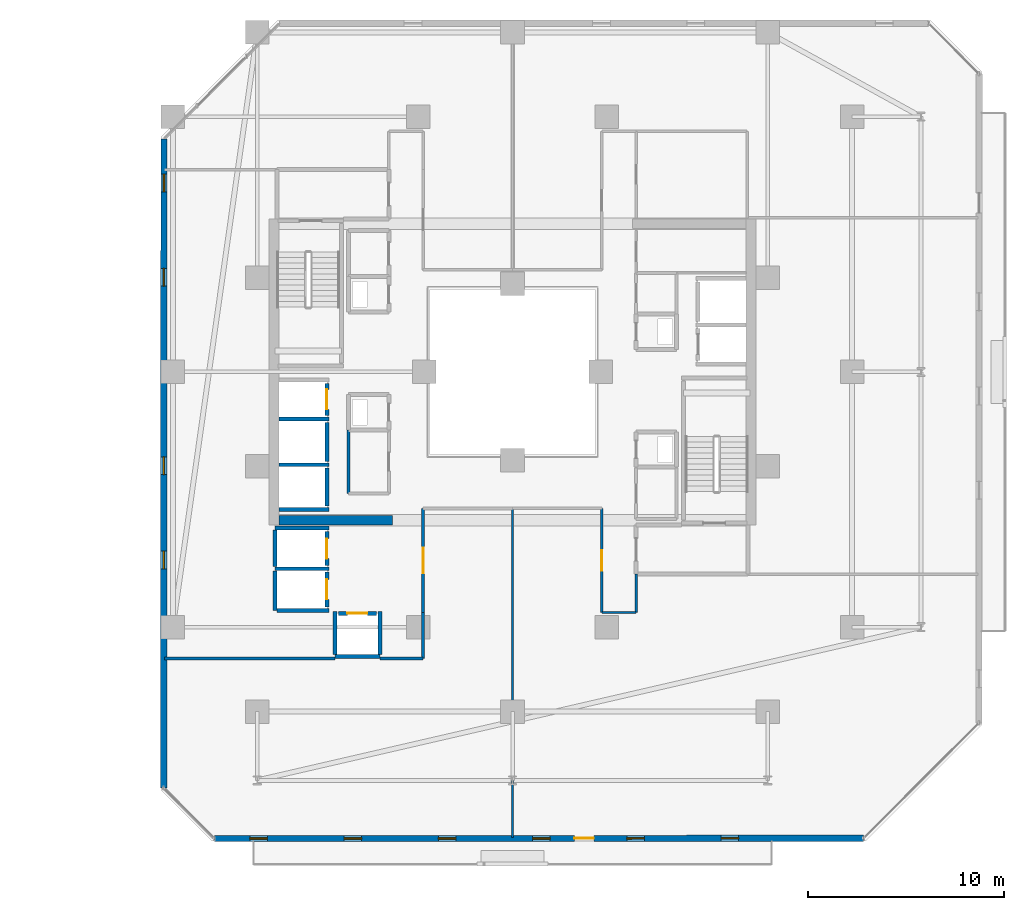
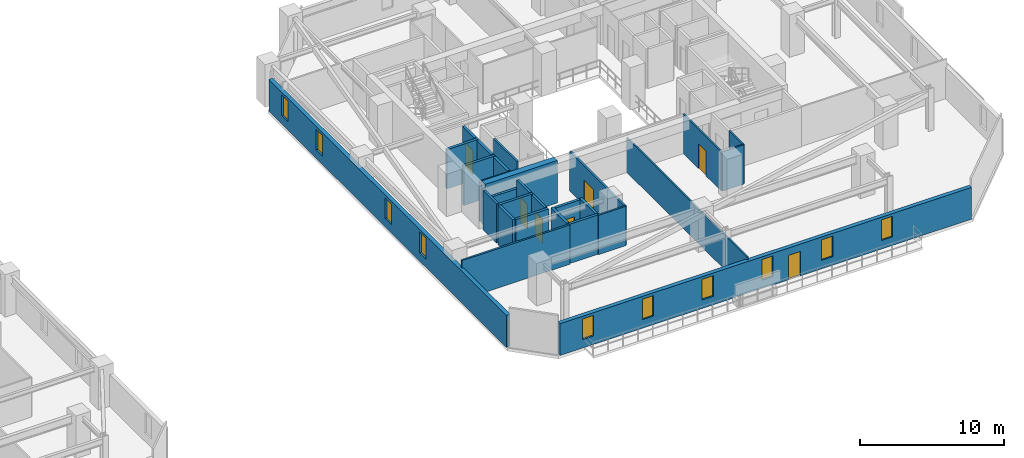
# One storey, part 22 of 32: 29 walls, 10 windows, 7 doors, 17 openings.
"""IFC4 building model written with IfcOpenShell, lengths in metres."""

from ifc_helpers import new_model, si_unit, direction, frame, frame_2d, origin, place, context, subcontext, project, spatial, rectangle, extrude, material, layer, layer_set, type_object, element, fill, save


model = new_model("IFC4")

# Units and contexts
model_context = context("Model", 3, precision=1e-05, world=origin(), true_north=direction((0.0, 1.0)))
body_context = subcontext(model_context, "Body", "Model", "MODEL_VIEW")
ifc_project = project(units=[si_unit("LENGTHUNIT", "METRE"), si_unit("AREAUNIT", "SQUARE_METRE"), si_unit("VOLUMEUNIT", "CUBIC_METRE"), si_unit("PLANEANGLEUNIT", "RADIAN"), si_unit("MASSUNIT", "GRAM", prefix="KILO")], contexts=[model_context])

# Site, building, storey
site_placement = place(None, origin())
site = spatial("IfcSite", under=ifc_project, at=site_placement, CompositionType="ELEMENT")
building_placement = place(site_placement, origin())
building = spatial("IfcBuilding", under=site, at=building_placement, Name="Thornwick Lancets Civic Towers", CompositionType="ELEMENT")
storey_placement = place(building_placement, frame((0.0, 0.0, 123.300048828125)))
storey = spatial("IfcBuildingStorey", under=building, at=storey_placement, Name="L32", CompositionType="ELEMENT", Elevation=123.300048828125)

# Wall, opening, door
ifc_material_1 = material(Name="Concrete blockwork C40/50", Category="masonry")
ifc_layer_1 = layer(ifc_material_1, 0.199951171875, Name="Concrete blockwork C40/50")
ifc_layer_set_1 = layer_set([ifc_layer_1], Name="Concrete blockwork C40/50")
wall_type_1 = type_object("IfcWallType", Name="WALL_COMP_200", PredefinedType="STANDARD", material=ifc_layer_set_1)
wall_1_placement = place(storey_placement, frame((79.050048828125, 24.780029296875, 0.0), z_axis=(0.0, 0.0, 1.0), x_axis=(0.0, 1.0, 0.0)))
wall_1 = element("IfcWall", 1, at=wall_1_placement, inside=storey, type_object=wall_type_1, Name="L32 Hoistway Front Wall FL-B2", PredefinedType="STANDARD", context=body_context, shape_type="SweptSolid", body=[
    extrude(rectangle(XDim=1.639892578125, YDim=0.199951171875, at=frame_2d((0.81982421875, 0.0))), origin(), (0.0, 0.0, 1.0), 3.33984375),
])
opening_1_placement = place(wall_1_placement, frame((0.31005859375, 0.0, 0.0)))
opening_1 = element("IfcOpeningElement", 2, at=opening_1_placement, cuts=wall_1, Name="Opening LD-FL-B2", PredefinedType="OPENING", context=body_context, shape_type="SweptSolid", body=[
    extrude(rectangle(XDim=1.02001953125, YDim=2.06005859375, at=frame_2d((0.510009765625, 1.030029296875))), frame((0.0, 0.10986328125, 0.0), z_axis=(0.0, -1.0, 0.0), x_axis=(1.0, 0.0, 0.0)), (0.0, 0.0, 1.0), 0.219970703125),
])
ifc_material_2 = material(Name="Brushed bronze stainless steel", Category="steel")
door_type_1 = type_object("IfcDoorType", Name="DOOR_LIFT_SLIDE", OperationType="SLIDING_TO_LEFT", PredefinedType="DOOR", material=ifc_material_2)
door_1_placement = place(opening_1_placement, origin())
door_1 = element("IfcDoor", 3, at=door_1_placement, inside=storey, type_object=door_type_1, Name="L32 Sliding Lift Landing Door LD-FL-B2", OperationType="SLIDING_TO_LEFT", OverallHeight=2.06005859375, OverallWidth=1.02001953125, PredefinedType="DOOR", context=body_context, shape_type="SweptSolid", body=[
    extrude(rectangle(XDim=1.02001953125, YDim=2.06005859375, at=frame_2d((0.510009765625, 1.030029296875))), frame((0.0, 0.02490234375, 0.0), z_axis=(0.0, -1.0, 0.0), x_axis=(1.0, 0.0, 0.0)), (0.0, 0.0, 1.0), 0.050048828125),
])
fill(opening_1, door_1)

# Walls
wall_2_placement = place(storey_placement, frame((79.050048828125, 22.429931640625, 0.0), z_axis=(0.0, 0.0, 1.0), x_axis=(0.0, 1.0, 0.0)))
element("IfcWall", 4, at=wall_2_placement, inside=storey, type_object=wall_type_1, Name="L32 Hoistway Front Wall PL-BH2", PredefinedType="STANDARD", context=body_context, shape_type="SweptSolid", body=[
    extrude(rectangle(XDim=1.989990234375, YDim=0.199951171875, at=frame_2d((0.9951171875, 0.0))), origin(), (0.0, 0.0, 1.0), 3.33984375),
])
wall_3_placement = place(storey_placement, frame((79.050048828125, 20.179931640625, 0.0), z_axis=(0.0, 0.0, 1.0), x_axis=(0.0, 1.0, 0.0)))
element("IfcWall", 5, at=wall_3_placement, inside=storey, type_object=wall_type_1, Name="L32 Hoistway Front Wall PL-BH3", PredefinedType="STANDARD", context=body_context, shape_type="SweptSolid", body=[
    extrude(rectangle(XDim=1.940185546875, YDim=0.199951171875, at=frame_2d((0.97021484375, 0.0))), origin(), (0.0, 0.0, 1.0), 3.33984375),
])

# Wall, opening, door
wall_4_placement = place(storey_placement, frame((79.050048828125, 17.1298828125, 0.0), z_axis=(0.0, 0.0, 1.0), x_axis=(0.0, 1.0, 0.0)))
wall_4 = element("IfcWall", 6, at=wall_4_placement, inside=storey, type_object=wall_type_1, Name="L32 Hoistway Front Wall PL-BM1", PredefinedType="STANDARD", context=body_context, shape_type="SweptSolid", body=[
    extrude(rectangle(XDim=1.740234375, YDim=0.199951171875, at=frame_2d((0.8701171875, 0.0))), origin(), (0.0, 0.0, 1.0), 3.33984375),
])
opening_2_placement = place(wall_4_placement, frame((0.360107421875, 0.0, 0.0)))
opening_2 = element("IfcOpeningElement", 7, at=opening_2_placement, cuts=wall_4, Name="Opening LD-PL-BM1", PredefinedType="OPENING", context=body_context, shape_type="SweptSolid", body=[
    extrude(rectangle(XDim=1.02001953125, YDim=2.06005859375, at=frame_2d((0.510009765625, 1.030029296875))), frame((0.0, 0.10986328125, 0.0), z_axis=(0.0, -1.0, 0.0), x_axis=(1.0, 0.0, 0.0)), (0.0, 0.0, 1.0), 0.219970703125),
])
door_2_placement = place(opening_2_placement, origin())
door_2 = element("IfcDoor", 8, at=door_2_placement, inside=storey, type_object=door_type_1, Name="L32 Sliding Lift Landing Door LD-PL-BM1", OperationType="SLIDING_TO_LEFT", OverallHeight=2.06005859375, OverallWidth=1.02001953125, PredefinedType="DOOR", context=body_context, shape_type="SweptSolid", body=[
    extrude(rectangle(XDim=1.02001953125, YDim=2.06005859375, at=frame_2d((0.510009765625, 1.030029296875))), frame((0.0, 0.02490234375, 0.0), z_axis=(0.0, -1.0, 0.0), x_axis=(1.0, 0.0, 0.0)), (0.0, 0.0, 1.0), 0.050048828125),
])
fill(opening_2, door_2)

wall_5_placement = place(storey_placement, frame((79.050048828125, 15.030029296875, 0.0), z_axis=(0.0, 0.0, 1.0), x_axis=(0.0, 1.0, 0.0)))
wall_5 = element("IfcWall", 9, at=wall_5_placement, inside=storey, type_object=wall_type_1, Name="L32 Hoistway Front Wall PL-BM2", PredefinedType="STANDARD", context=body_context, shape_type="SweptSolid", body=[
    extrude(rectangle(XDim=1.7900390625, YDim=0.199951171875, at=frame_2d((0.89501953125, 0.0))), origin(), (0.0, 0.0, 1.0), 3.33984375),
])
opening_3_placement = place(wall_5_placement, frame((0.385009765625, 0.0, 0.0)))
opening_3 = element("IfcOpeningElement", 10, at=opening_3_placement, cuts=wall_5, Name="Opening LD-PL-BM2", PredefinedType="OPENING", context=body_context, shape_type="SweptSolid", body=[
    extrude(rectangle(XDim=1.02001953125, YDim=2.06005859375, at=frame_2d((0.510009765625, 1.030029296875))), frame((0.0, 0.10986328125, 0.0), z_axis=(0.0, -1.0, 0.0), x_axis=(1.0, 0.0, 0.0)), (0.0, 0.0, 1.0), 0.219970703125),
])
door_3_placement = place(opening_3_placement, origin())
door_3 = element("IfcDoor", 11, at=door_3_placement, inside=storey, type_object=door_type_1, Name="L32 Sliding Lift Landing Door LD-PL-BM2", OperationType="SLIDING_TO_LEFT", OverallHeight=2.06005859375, OverallWidth=1.02001953125, PredefinedType="DOOR", context=body_context, shape_type="SweptSolid", body=[
    extrude(rectangle(XDim=1.02001953125, YDim=2.06005859375, at=frame_2d((0.510009765625, 1.030029296875))), frame((0.0, 0.02490234375, 0.0), z_axis=(0.0, -1.0, 0.0), x_axis=(1.0, 0.0, 0.0)), (0.0, 0.0, 1.0), 0.050048828125),
])
fill(opening_3, door_3)

wall_6_placement = place(storey_placement, frame((79.6298828125, 14.699951171875, 0.0), z_axis=(0.0, 0.0, 1.0), x_axis=(1.0, 0.0, 0.0)))
wall_6 = element("IfcWall", 12, at=wall_6_placement, inside=storey, type_object=wall_type_1, Name="L32 Hoistway Front Wall PL-BM3", PredefinedType="STANDARD", context=body_context, shape_type="SweptSolid", body=[
    extrude(rectangle(XDim=1.940185546875, YDim=0.199951171875, at=frame_2d((0.97021484375, 0.0))), origin(), (0.0, 0.0, 1.0), 3.33984375),
])
opening_4_placement = place(wall_6_placement, frame((0.4599609375, 0.0, 0.0)))
opening_4 = element("IfcOpeningElement", 13, at=opening_4_placement, cuts=wall_6, Name="Opening LD-PL-BM3", PredefinedType="OPENING", context=body_context, shape_type="SweptSolid", body=[
    extrude(rectangle(XDim=1.02001953125, YDim=2.06005859375, at=frame_2d((0.510009765625, 1.030029296875))), frame((0.0, 0.10986328125, 0.0), z_axis=(0.0, -1.0, 0.0), x_axis=(1.0, 0.0, 0.0)), (0.0, 0.0, 1.0), 0.219970703125),
])
door_4_placement = place(opening_4_placement, origin())
door_4 = element("IfcDoor", 14, at=door_4_placement, inside=storey, type_object=door_type_1, Name="L32 Sliding Lift Landing Door LD-PL-BM3", OperationType="SLIDING_TO_LEFT", OverallHeight=2.06005859375, OverallWidth=1.02001953125, PredefinedType="DOOR", context=body_context, shape_type="SweptSolid", body=[
    extrude(rectangle(XDim=1.02001953125, YDim=2.06005859375, at=frame_2d((0.510009765625, 1.030029296875))), frame((0.0, 0.02490234375, 0.0), z_axis=(0.0, -1.0, 0.0), x_axis=(1.0, 0.0, 0.0)), (0.0, 0.0, 1.0), 0.050048828125),
])
fill(opening_4, door_4)

# Walls
for number, where, z_axis, x_axis, name in (
    (15, (76.612060546875, 24.60009765625, 0.0), (0.0, 0.0, 1.0), (1.0, 0.0, 0.0), "L32 Hoistway Shaft Wall FL-B2 S"),
    (16, (76.612060546875, 22.27490234375, 0.0), (0.0, 0.0, 1.0), (1.0, 0.0, 0.0), "L32 Hoistway Shaft Wall PL-BH2 S"),
    (17, (76.612060546875, 20.0, 0.0), (0.0, 0.0, 1.0), (1.0, 0.0, 0.0), "L32 Hoistway Shaft Wall PL-BH3 S"),
):
    element("IfcWall", number, at=place(storey_placement, frame(where, z_axis=z_axis, x_axis=x_axis)), inside=storey, type_object=wall_type_1, Name=name, PredefinedType="STANDARD", context=body_context, shape_type="SweptSolid", body=[
        extrude(rectangle(XDim=2.535888671875, YDim=0.199951171875, at=frame_2d((1.26806640625, 0.0))), origin(), (0.0, 0.0, 1.0), 3.33984375),
    ])
wall_7_placement = place(storey_placement, frame((76.402099609375, 19.050048828125, 0.0), z_axis=(0.0, 0.0, 1.0), x_axis=(1.0, 0.0, 0.0)))
element("IfcWall", 18, at=wall_7_placement, inside=storey, type_object=wall_type_1, Name="L32 Hoistway Shaft Wall PL-BM1 N", PredefinedType="STANDARD", context=body_context, shape_type="SweptSolid", body=[
    extrude(rectangle(XDim=2.745849609375, YDim=0.199951171875, at=frame_2d((1.373046875, 0.0))), origin(), (0.0, 0.0, 1.0), 2.544921875),
])
wall_8_placement = place(storey_placement, frame((76.402099609375, 16.97509765625, 0.0), z_axis=(0.0, 0.0, 1.0), x_axis=(1.0, 0.0, 0.0)))
element("IfcWall", 19, at=wall_8_placement, inside=storey, type_object=wall_type_1, Name="L32 Hoistway Shaft Wall PL-BM1 S", PredefinedType="STANDARD", context=body_context, shape_type="SweptSolid", body=[
    extrude(rectangle(XDim=2.745849609375, YDim=0.199951171875, at=frame_2d((1.373046875, 0.0))), origin(), (0.0, 0.0, 1.0), 3.33984375),
])
wall_9_placement = place(storey_placement, frame((76.39990234375, 14.85205078125, 0.0), z_axis=(0.0, 0.0, 1.0), x_axis=(0.0, 1.0, 0.0)))
element("IfcWall", 20, at=wall_9_placement, inside=storey, type_object=wall_type_1, Name="L32 Hoistway Shaft Wall PL-BM1 W", PredefinedType="STANDARD", context=body_context, shape_type="SweptSolid", body=[
    extrude(rectangle(XDim=2.015869140625, YDim=0.199951171875, at=frame_2d((1.0078125, 0.0))), origin(), (0.0, 0.0, 1.0), 3.33984375),
])
wall_10_placement = place(storey_placement, frame((76.39990234375, 17.08203125, 0.0), z_axis=(0.0, 0.0, 1.0), x_axis=(0.0, 1.0, 0.0)))
element("IfcWall", 21, at=wall_10_placement, inside=storey, type_object=wall_type_1, Name="L32 Hoistway Shaft Wall PL-BM1 W", PredefinedType="STANDARD", context=body_context, shape_type="SweptSolid", body=[
    extrude(rectangle(XDim=1.85595703125, YDim=0.199951171875, at=frame_2d((0.927978515625, 0.0))), origin(), (0.0, 0.0, 1.0), 3.33984375),
])
wall_11_placement = place(storey_placement, frame((76.511962890625, 14.85009765625, 0.0), z_axis=(0.0, 0.0, 1.0), x_axis=(1.0, 0.0, 0.0)))
element("IfcWall", 22, at=wall_11_placement, inside=storey, type_object=wall_type_1, Name="L32 Hoistway Shaft Wall PL-BM2 S", PredefinedType="STANDARD", context=body_context, shape_type="SweptSolid", body=[
    extrude(rectangle(XDim=2.635986328125, YDim=0.199951171875, at=frame_2d((1.31787109375, 0.0))), origin(), (0.0, 0.0, 1.0), 3.33984375),
])
wall_12_placement = place(storey_placement, frame((79.451904296875, 12.5, 0.0), z_axis=(0.0, 0.0, 1.0), x_axis=(1.0, 0.0, 0.0)))
element("IfcWall", 23, at=wall_12_placement, inside=storey, type_object=wall_type_1, Name="L32 Hoistway Shaft Wall PL-BM3 S", PredefinedType="STANDARD", context=body_context, shape_type="SweptSolid", body=[
    extrude(rectangle(XDim=2.296142578125, YDim=0.199951171875, at=frame_2d((1.14794921875, 0.0))), origin(), (0.0, 0.0, 1.0), 3.33984375),
])
for number, where, z_axis, x_axis, name in (
    (24, (81.75, 12.612060546875, 0.0), (0.0, 0.0, 1.0), (0.0, 1.0, 0.0), "L32 Hoistway Shaft Wall PL-BM3 E"),
    (25, (79.449951171875, 12.612060546875, 0.0), (0.0, 0.0, 1.0), (0.0, 1.0, 0.0), "L32 Hoistway Shaft Wall PL-BM3 W"),
):
    element("IfcWall", number, at=place(storey_placement, frame(where, z_axis=z_axis, x_axis=x_axis)), inside=storey, type_object=wall_type_1, Name=name, PredefinedType="STANDARD", context=body_context, shape_type="SweptSolid", body=[
        extrude(rectangle(XDim=2.18603515625, YDim=0.199951171875, at=frame_2d((1.093017578125, 0.0))), origin(), (0.0, 0.0, 1.0), 3.33984375),
    ])
ifc_material_3 = material(Name="Concrete C50/60", Category="concrete")
ifc_layer_2 = layer(ifc_material_3, 0.5, Name="Concrete C50/60")
ifc_layer_set_2 = layer_set([ifc_layer_2], Name="Concrete C50/60")
wall_type_2 = type_object("IfcWallType", Name="WALL_CORE_500", PredefinedType="SHEAR", material=ifc_layer_set_2)
wall_13_placement = place(storey_placement, frame((76.60009765625, 19.449951171875, 0.0), z_axis=(0.0, 0.0, 1.0), x_axis=(1.0, 0.0, 0.0)))
element("IfcWall", 26, at=wall_13_placement, inside=storey, type_object=wall_type_2, Name="L32 Split Core B2 Shear Wall S", PredefinedType="SHEAR", context=body_context, shape_type="SweptSolid", body=[
    extrude(rectangle(XDim=5.7998046875, YDim=0.5, at=frame_2d((2.89990234375, 0.0))), origin(), (0.0, 0.0, 1.0), 3.599853515625),
])

# Wall, openings, door, windows
ifc_material_4 = material(Name="Insulated buff terracotta rainscreen on concrete C40/50", Category="masonry")
ifc_layer_3 = layer(ifc_material_4, 0.320068359375, Name="Insulated buff terracotta rainscreen on concrete C40/50")
ifc_layer_set_3 = layer_set([ifc_layer_3], Name="Insulated buff terracotta rainscreen on concrete C40/50")
wall_type_3 = type_object("IfcWallType", Name="WALL_EXT_TERRA_320", PredefinedType="STANDARD", material=ifc_layer_set_3)
wall_14_placement = place(storey_placement, frame((73.318603515625, 3.2353515625, 0.0), z_axis=(0.0, 0.0, 1.0), x_axis=(0.999999944762, 0.000332378036, 0.0)))
wall_14 = element("IfcWall", 27, at=wall_14_placement, inside=storey, type_object=wall_type_3, Name="L32 Tower B Terracotta Facade Wall E0", PredefinedType="STANDARD", context=body_context, shape_type="SweptSolid", body=[
    extrude(rectangle(XDim=33.0537109375, YDim=0.320068359375, at=frame_2d((16.52685546875, 0.0))), origin(), (0.0, 0.0, 1.0), 2.699951171875),
])
opening_5_placement = place(wall_14_placement, frame((18.326904296875, 0.0, 0.0)))
opening_5 = element("IfcOpeningElement", 28, at=opening_5_placement, cuts=wall_14, Name="Opening D-BL-L32-BS", PredefinedType="OPENING", context=body_context, shape_type="SweptSolid", body=[
    extrude(rectangle(XDim=1.0, YDim=2.080078125, at=frame_2d((0.5, 1.0400390625))), frame((0.0, 0.169921875, 0.0), z_axis=(0.0, -1.0, 0.0), x_axis=(1.0, 0.0, 0.0)), (0.0, 0.0, 1.0), 0.340087890625),
])
opening_6_placement = place(wall_14_placement, frame((1.800048828125, 0.0, 0.719970703125)))
opening_6 = element("IfcOpeningElement", 29, at=opening_6_placement, cuts=wall_14, Name="Opening WL-01", PredefinedType="OPENING", context=body_context, shape_type="SweptSolid", body=[
    extrude(rectangle(XDim=0.89990234375, YDim=1.75, at=frame_2d((0.449951171875, 0.875))), frame((0.0, 0.169921875, 0.0), z_axis=(0.0, -1.0, 0.0), x_axis=(1.0, 0.0, 0.0)), (0.0, 0.0, 1.0), 0.340087890625),
])
opening_7_placement = place(wall_14_placement, frame((6.60009765625, 0.0, 0.719970703125)))
opening_7 = element("IfcOpeningElement", 30, at=opening_7_placement, cuts=wall_14, Name="Opening WL-01", PredefinedType="OPENING", context=body_context, shape_type="SweptSolid", body=[
    extrude(rectangle(XDim=0.89990234375, YDim=1.75, at=frame_2d((0.449951171875, 0.875))), frame((0.0, 0.169921875, 0.0), z_axis=(0.0, -1.0, 0.0), x_axis=(1.0, 0.0, 0.0)), (0.0, 0.0, 1.0), 0.340087890625),
])
opening_8_placement = place(wall_14_placement, frame((11.39990234375, 0.0, 0.719970703125)))
opening_8 = element("IfcOpeningElement", 31, at=opening_8_placement, cuts=wall_14, Name="Opening WL-01", PredefinedType="OPENING", context=body_context, shape_type="SweptSolid", body=[
    extrude(rectangle(XDim=0.89990234375, YDim=1.75, at=frame_2d((0.449951171875, 0.875))), frame((0.0, 0.169921875, 0.0), z_axis=(0.0, -1.0, 0.0), x_axis=(1.0, 0.0, 0.0)), (0.0, 0.0, 1.0), 0.340087890625),
])
opening_9_placement = place(wall_14_placement, frame((16.199951171875, 0.0, 0.719970703125)))
opening_9 = element("IfcOpeningElement", 32, at=opening_9_placement, cuts=wall_14, Name="Opening WL-01", PredefinedType="OPENING", context=body_context, shape_type="SweptSolid", body=[
    extrude(rectangle(XDim=0.89990234375, YDim=1.75, at=frame_2d((0.449951171875, 0.875))), frame((0.0, 0.169921875, 0.0), z_axis=(0.0, -1.0, 0.0), x_axis=(1.0, 0.0, 0.0)), (0.0, 0.0, 1.0), 0.340087890625),
])
opening_10_placement = place(wall_14_placement, frame((21.0, 0.0, 0.719970703125)))
opening_10 = element("IfcOpeningElement", 33, at=opening_10_placement, cuts=wall_14, Name="Opening WL-01", PredefinedType="OPENING", context=body_context, shape_type="SweptSolid", body=[
    extrude(rectangle(XDim=0.89990234375, YDim=1.75, at=frame_2d((0.449951171875, 0.875))), frame((0.0, 0.169921875, 0.0), z_axis=(0.0, -1.0, 0.0), x_axis=(1.0, 0.0, 0.0)), (0.0, 0.0, 1.0), 0.340087890625),
])
opening_11_placement = place(wall_14_placement, frame((25.800048828125, 0.0, 0.719970703125)))
opening_11 = element("IfcOpeningElement", 34, at=opening_11_placement, cuts=wall_14, Name="Opening WL-01", PredefinedType="OPENING", context=body_context, shape_type="SweptSolid", body=[
    extrude(rectangle(XDim=0.89990234375, YDim=1.75, at=frame_2d((0.449951171875, 0.875))), frame((0.0, 0.169921875, 0.0), z_axis=(0.0, -1.0, 0.0), x_axis=(1.0, 0.0, 0.0)), (0.0, 0.0, 1.0), 0.340087890625),
])
ifc_material_5 = material(Name="Thermally broken glazed loggia doorset")
door_type_2 = type_object("IfcDoorType", Name="DOOR_BALC_1000", OperationType="NOTDEFINED", PredefinedType="DOOR", material=ifc_material_5)
door_5_placement = place(opening_5_placement, origin())
door_5 = element("IfcDoor", 35, at=door_5_placement, inside=storey, type_object=door_type_2, Name="L32 Tower B Loggia Balcony Door S", OperationType="SINGLE_SWING_LEFT", OverallHeight=2.080078125, OverallWidth=1.0, PredefinedType="DOOR", context=body_context, shape_type="SweptSolid", body=[
    extrude(rectangle(XDim=1.0, YDim=2.080078125, at=frame_2d((0.5, 1.0400390625))), frame((0.0, 0.02490234375, 0.0), z_axis=(0.0, -1.0, 0.0), x_axis=(1.0, 0.0, 0.0)), (0.0, 0.0, 1.0), 0.050048828125),
])
fill(opening_5, door_5)
ifc_material_6 = material(Name="Clear low-e double glazing in bronze frame", Category="glass")
window_type = type_object("IfcWindowType", Name="WIN_LANCET_900", PartitioningType="SINGLE_PANEL", PredefinedType="WINDOW", material=ifc_material_6)
window_1_placement = place(opening_6_placement, origin())
window_1 = element("IfcWindow", 36, at=window_1_placement, inside=storey, type_object=window_type, Name="L32 Tower B Staggered Lancet Window E0-1", OverallHeight=1.75, OverallWidth=0.89990234375, PartitioningType="SINGLE_PANEL", PredefinedType="WINDOW", context=body_context, shape_type="SweptSolid", body=[
    extrude(rectangle(XDim=0.89990234375, YDim=1.75, at=frame_2d((0.449951171875, 0.875))), frame((0.0, 0.030029296875, 0.0), z_axis=(0.0, -1.0, 0.0), x_axis=(1.0, 0.0, 0.0)), (0.0, 0.0, 1.0), 0.06005859375),
])
fill(opening_6, window_1)
window_2_placement = place(opening_7_placement, origin())
window_2 = element("IfcWindow", 37, at=window_2_placement, inside=storey, type_object=window_type, Name="L32 Tower B Staggered Lancet Window E0-2", OverallHeight=1.75, OverallWidth=0.89990234375, PartitioningType="SINGLE_PANEL", PredefinedType="WINDOW", context=body_context, shape_type="SweptSolid", body=[
    extrude(rectangle(XDim=0.89990234375, YDim=1.75, at=frame_2d((0.449951171875, 0.875))), frame((0.0, 0.030029296875, 0.0), z_axis=(0.0, -1.0, 0.0), x_axis=(1.0, 0.0, 0.0)), (0.0, 0.0, 1.0), 0.06005859375),
])
fill(opening_7, window_2)
window_3_placement = place(opening_8_placement, origin())
window_3 = element("IfcWindow", 38, at=window_3_placement, inside=storey, type_object=window_type, Name="L32 Tower B Staggered Lancet Window E0-3", OverallHeight=1.75, OverallWidth=0.89990234375, PartitioningType="SINGLE_PANEL", PredefinedType="WINDOW", context=body_context, shape_type="SweptSolid", body=[
    extrude(rectangle(XDim=0.89990234375, YDim=1.75, at=frame_2d((0.449951171875, 0.875))), frame((0.0, 0.030029296875, 0.0), z_axis=(0.0, -1.0, 0.0), x_axis=(1.0, 0.0, 0.0)), (0.0, 0.0, 1.0), 0.06005859375),
])
fill(opening_8, window_3)
window_4_placement = place(opening_9_placement, origin())
window_4 = element("IfcWindow", 39, at=window_4_placement, inside=storey, type_object=window_type, Name="L32 Tower B Staggered Lancet Window E0-4", OverallHeight=1.75, OverallWidth=0.89990234375, PartitioningType="SINGLE_PANEL", PredefinedType="WINDOW", context=body_context, shape_type="SweptSolid", body=[
    extrude(rectangle(XDim=0.89990234375, YDim=1.75, at=frame_2d((0.449951171875, 0.875))), frame((0.0, 0.030029296875, 0.0), z_axis=(0.0, -1.0, 0.0), x_axis=(1.0, 0.0, 0.0)), (0.0, 0.0, 1.0), 0.06005859375),
])
fill(opening_9, window_4)
window_5_placement = place(opening_10_placement, origin())
window_5 = element("IfcWindow", 40, at=window_5_placement, inside=storey, type_object=window_type, Name="L32 Tower B Staggered Lancet Window E0-5", OverallHeight=1.75, OverallWidth=0.89990234375, PartitioningType="SINGLE_PANEL", PredefinedType="WINDOW", context=body_context, shape_type="SweptSolid", body=[
    extrude(rectangle(XDim=0.89990234375, YDim=1.75, at=frame_2d((0.449951171875, 0.875))), frame((0.0, 0.030029296875, 0.0), z_axis=(0.0, -1.0, 0.0), x_axis=(1.0, 0.0, 0.0)), (0.0, 0.0, 1.0), 0.06005859375),
])
fill(opening_10, window_5)
window_6_placement = place(opening_11_placement, origin())
window_6 = element("IfcWindow", 41, at=window_6_placement, inside=storey, type_object=window_type, Name="L32 Tower B Staggered Lancet Window E0-6", OverallHeight=1.75, OverallWidth=0.89990234375, PartitioningType="SINGLE_PANEL", PredefinedType="WINDOW", context=body_context, shape_type="SweptSolid", body=[
    extrude(rectangle(XDim=0.89990234375, YDim=1.75, at=frame_2d((0.449951171875, 0.875))), frame((0.0, 0.030029296875, 0.0), z_axis=(0.0, -1.0, 0.0), x_axis=(1.0, 0.0, 0.0)), (0.0, 0.0, 1.0), 0.06005859375),
])
fill(opening_11, window_6)

# Wall, openings, windows
wall_15_placement = place(storey_placement, frame((70.746337890625, 38.872314453125, 0.0), z_axis=(0.0, 0.0, 1.0), x_axis=(-0.000332378036, -0.999999944762, 0.0)))
wall_15 = element("IfcWall", 42, at=wall_15_placement, inside=storey, type_object=wall_type_3, Name="L32 Tower B Terracotta Facade Wall E6", PredefinedType="STANDARD", context=body_context, shape_type="SweptSolid", body=[
    extrude(rectangle(XDim=33.0537109375, YDim=0.320068359375, at=frame_2d((16.52685546875, 0.0))), origin(), (0.0, 0.0, 1.0), 2.699951171875),
])
opening_12_placement = place(wall_15_placement, frame((1.800048828125, 0.0, 0.719970703125)))
opening_12 = element("IfcOpeningElement", 43, at=opening_12_placement, cuts=wall_15, Name="Opening WL-01", PredefinedType="OPENING", context=body_context, shape_type="SweptSolid", body=[
    extrude(rectangle(XDim=0.89990234375, YDim=1.75, at=frame_2d((0.449951171875, 0.875))), frame((0.0, 0.169921875, 0.0), z_axis=(0.0, -1.0, 0.0), x_axis=(1.0, 0.0, 0.0)), (0.0, 0.0, 1.0), 0.340087890625),
])
opening_13_placement = place(wall_15_placement, frame((6.60009765625, 0.0, 0.719970703125)))
opening_13 = element("IfcOpeningElement", 44, at=opening_13_placement, cuts=wall_15, Name="Opening WL-01", PredefinedType="OPENING", context=body_context, shape_type="SweptSolid", body=[
    extrude(rectangle(XDim=0.89990234375, YDim=1.75, at=frame_2d((0.449951171875, 0.875))), frame((0.0, 0.169921875, 0.0), z_axis=(0.0, -1.0, 0.0), x_axis=(1.0, 0.0, 0.0)), (0.0, 0.0, 1.0), 0.340087890625),
])
opening_14_placement = place(wall_15_placement, frame((16.199951171875, 0.0, 0.719970703125)))
opening_14 = element("IfcOpeningElement", 45, at=opening_14_placement, cuts=wall_15, Name="Opening WL-01", PredefinedType="OPENING", context=body_context, shape_type="SweptSolid", body=[
    extrude(rectangle(XDim=0.89990234375, YDim=1.75, at=frame_2d((0.449951171875, 0.875))), frame((0.0, 0.169921875, 0.0), z_axis=(0.0, -1.0, 0.0), x_axis=(1.0, 0.0, 0.0)), (0.0, 0.0, 1.0), 0.340087890625),
])
opening_15_placement = place(wall_15_placement, frame((21.0, 0.0, 0.719970703125)))
opening_15 = element("IfcOpeningElement", 46, at=opening_15_placement, cuts=wall_15, Name="Opening WL-01", PredefinedType="OPENING", context=body_context, shape_type="SweptSolid", body=[
    extrude(rectangle(XDim=0.89990234375, YDim=1.75, at=frame_2d((0.449951171875, 0.875))), frame((0.0, 0.169921875, 0.0), z_axis=(0.0, -1.0, 0.0), x_axis=(1.0, 0.0, 0.0)), (0.0, 0.0, 1.0), 0.340087890625),
])
window_7_placement = place(opening_12_placement, origin())
window_7 = element("IfcWindow", 47, at=window_7_placement, inside=storey, type_object=window_type, Name="L32 Tower B Staggered Lancet Window E6-1", OverallHeight=1.75, OverallWidth=0.89990234375, PartitioningType="SINGLE_PANEL", PredefinedType="WINDOW", context=body_context, shape_type="SweptSolid", body=[
    extrude(rectangle(XDim=0.89990234375, YDim=1.75, at=frame_2d((0.449951171875, 0.875))), frame((0.0, 0.030029296875, 0.0), z_axis=(0.0, -1.0, 0.0), x_axis=(1.0, 0.0, 0.0)), (0.0, 0.0, 1.0), 0.06005859375),
])
fill(opening_12, window_7)
window_8_placement = place(opening_13_placement, origin())
window_8 = element("IfcWindow", 48, at=window_8_placement, inside=storey, type_object=window_type, Name="L32 Tower B Staggered Lancet Window E6-2", OverallHeight=1.75, OverallWidth=0.89990234375, PartitioningType="SINGLE_PANEL", PredefinedType="WINDOW", context=body_context, shape_type="SweptSolid", body=[
    extrude(rectangle(XDim=0.89990234375, YDim=1.75, at=frame_2d((0.449951171875, 0.875))), frame((0.0, 0.030029296875, 0.0), z_axis=(0.0, -1.0, 0.0), x_axis=(1.0, 0.0, 0.0)), (0.0, 0.0, 1.0), 0.06005859375),
])
fill(opening_13, window_8)
window_9_placement = place(opening_14_placement, origin())
window_9 = element("IfcWindow", 49, at=window_9_placement, inside=storey, type_object=window_type, Name="L32 Tower B Staggered Lancet Window E6-3", OverallHeight=1.75, OverallWidth=0.89990234375, PartitioningType="SINGLE_PANEL", PredefinedType="WINDOW", context=body_context, shape_type="SweptSolid", body=[
    extrude(rectangle(XDim=0.89990234375, YDim=1.75, at=frame_2d((0.449951171875, 0.875))), frame((0.0, 0.030029296875, 0.0), z_axis=(0.0, -1.0, 0.0), x_axis=(1.0, 0.0, 0.0)), (0.0, 0.0, 1.0), 0.06005859375),
])
fill(opening_14, window_9)
window_10_placement = place(opening_15_placement, origin())
window_10 = element("IfcWindow", 50, at=window_10_placement, inside=storey, type_object=window_type, Name="L32 Tower B Staggered Lancet Window E6-4", OverallHeight=1.75, OverallWidth=0.89990234375, PartitioningType="SINGLE_PANEL", PredefinedType="WINDOW", context=body_context, shape_type="SweptSolid", body=[
    extrude(rectangle(XDim=0.89990234375, YDim=1.75, at=frame_2d((0.449951171875, 0.875))), frame((0.0, 0.030029296875, 0.0), z_axis=(0.0, -1.0, 0.0), x_axis=(1.0, 0.0, 0.0)), (0.0, 0.0, 1.0), 0.06005859375),
])
fill(opening_15, window_10)

# Wall
ifc_material_7 = material(Name="Acoustic gypsum board partition")
ifc_layer_4 = layer(ifc_material_7, 0.1201171875, Name="Acoustic gypsum board partition")
ifc_layer_set_4 = layer_set([ifc_layer_4], Name="Acoustic gypsum board partition")
wall_type_4 = type_object("IfcWallType", Name="WALL_PART_120", PredefinedType="PARTITIONING", material=ifc_layer_set_4)
wall_16_placement = place(storey_placement, frame((88.5, 3.280029296875, 0.0), z_axis=(0.0, 0.0, 1.0), x_axis=(0.0, 1.0, 0.0)))
element("IfcWall", 51, at=wall_16_placement, inside=storey, type_object=wall_type_4, Name="L32 Partition L32-B-W1 E2", PredefinedType="PARTITIONING", context=body_context, shape_type="SweptSolid", body=[
    extrude(rectangle(XDim=16.77001953125, YDim=0.1201171875, at=frame_2d((8.385009765625, 0.0))), origin(), (0.0, 0.0, 1.0), 2.93212890625),
])

# Wall, opening, door
wall_17_placement = place(storey_placement, frame((93.050048828125, 20.050048828125, 0.0), z_axis=(0.0, 0.0, 1.0), x_axis=(0.0, -1.0, 0.0)))
wall_17 = element("IfcWall", 52, at=wall_17_placement, inside=storey, type_object=wall_type_4, Name="L32 Partition L32-B-W1 E4", PredefinedType="PARTITIONING", context=body_context, shape_type="SweptSolid", body=[
    extrude(rectangle(XDim=5.300048828125, YDim=0.1201171875, at=frame_2d((2.64990234375, 0.0))), origin(), (0.0, 0.0, 1.0), 3.33984375),
])
opening_16_placement = place(wall_17_placement, frame((2.125, 0.0, 0.0)))
opening_16 = element("IfcOpeningElement", 53, at=opening_16_placement, cuts=wall_17, Name="Opening D-L32-1485", PredefinedType="OPENING", context=body_context, shape_type="SweptSolid", body=[
    extrude(rectangle(XDim=1.050048828125, YDim=2.10009765625, at=frame_2d((0.52490234375, 1.050048828125))), frame((0.0, 0.070068359375, 0.0), z_axis=(0.0, -1.0, 0.0), x_axis=(1.0, 0.0, 0.0)), (0.0, 0.0, 1.0), 0.14013671875),
])
ifc_material_8 = material(Name="Glazed European oak executive doorset")
door_type_3 = type_object("IfcDoorType", Name="DOOR_OFFICE_1050", OperationType="NOTDEFINED", PredefinedType="DOOR", material=ifc_material_8)
door_6_placement = place(opening_16_placement, origin())
door_6 = element("IfcDoor", 54, at=door_6_placement, inside=storey, type_object=door_type_3, Name="L32 Tower B Ministry Directorate Office W1 Door", OperationType="SINGLE_SWING_RIGHT", OverallHeight=2.10009765625, OverallWidth=1.050048828125, PredefinedType="DOOR", context=body_context, shape_type="SweptSolid", body=[
    extrude(rectangle(XDim=1.050048828125, YDim=2.10009765625, at=frame_2d((0.52490234375, 1.050048828125))), frame((0.0, 0.02490234375, 0.0), z_axis=(0.0, -1.0, 0.0), x_axis=(1.0, 0.0, 0.0)), (0.0, 0.0, 1.0), 0.050048828125),
])
fill(opening_16, door_6)

# Walls
wall_18_placement = place(storey_placement, frame((93.050048828125, 14.75, 0.0), z_axis=(0.0, 0.0, 1.0), x_axis=(1.0, 0.0, 0.0)))
element("IfcWall", 55, at=wall_18_placement, inside=storey, type_object=wall_type_4, Name="L32 Partition L32-B-W1 E5", PredefinedType="PARTITIONING", context=body_context, shape_type="SweptSolid", body=[
    extrude(rectangle(XDim=1.75, YDim=0.1201171875, at=frame_2d((0.875, 0.0))), origin(), (0.0, 0.0, 1.0), 3.33984375),
])
wall_19_placement = place(storey_placement, frame((94.800048828125, 14.75, 0.0), z_axis=(0.0, 0.0, 1.0), x_axis=(0.0, 1.0, 0.0)))
element("IfcWall", 56, at=wall_19_placement, inside=storey, type_object=wall_type_4, Name="L32 Partition L32-B-W1 E6", PredefinedType="PARTITIONING", context=body_context, shape_type="SweptSolid", body=[
    extrude(rectangle(XDim=1.949951171875, YDim=0.1201171875, at=frame_2d((0.97509765625, 0.0))), origin(), (0.0, 0.0, 1.0), 3.33984375),
])
ifc_material_9 = material(Name="Twin-stud acoustic gypsum board")
ifc_layer_5 = layer(ifc_material_9, 0.14990234375, Name="Twin-stud acoustic gypsum board")
ifc_layer_set_5 = layer_set([ifc_layer_5], Name="Twin-stud acoustic gypsum board")
wall_type_5 = type_object("IfcWallType", Name="WALL_PART_150", PredefinedType="PARTITIONING", material=ifc_layer_set_5)
wall_20_placement = place(storey_placement, frame((80.14990234375, 20.800048828125, 0.0), z_axis=(0.0, 0.0, 1.0), x_axis=(0.0, 1.0, 0.0)))
element("IfcWall", 57, at=wall_20_placement, inside=storey, type_object=wall_type_5, Name="L32 Partition L32-B-FWC E2", PredefinedType="PARTITIONING", context=body_context, shape_type="SweptSolid", body=[
    extrude(rectangle(XDim=3.25, YDim=0.14990234375, at=frame_2d((1.625, 0.0))), origin(), (0.0, 0.0, 1.0), 3.33984375),
])

# Wall, opening, door
wall_21_placement = place(storey_placement, frame((83.949951171875, 14.75, 0.0), z_axis=(0.0, 0.0, 1.0), x_axis=(0.0, 1.0, 0.0)))
wall_21 = element("IfcWall", 58, at=wall_21_placement, inside=storey, type_object=wall_type_5, Name="L32 Partition L32-B-W2 E1", PredefinedType="PARTITIONING", context=body_context, shape_type="SweptSolid", body=[
    extrude(rectangle(XDim=5.300048828125, YDim=0.14990234375, at=frame_2d((2.64990234375, 0.0))), origin(), (0.0, 0.0, 1.0), 3.33984375),
])
opening_17_placement = place(wall_21_placement, frame((2.0, 0.0, 0.0)))
opening_17 = element("IfcOpeningElement", 59, at=opening_17_placement, cuts=wall_21, Name="Opening D-L32-1486", PredefinedType="OPENING", context=body_context, shape_type="SweptSolid", body=[
    extrude(rectangle(XDim=1.300048828125, YDim=2.1201171875, at=frame_2d((0.64990234375, 1.06005859375))), frame((0.0, 0.0849609375, 0.0), z_axis=(0.0, -1.0, 0.0), x_axis=(1.0, 0.0, 0.0)), (0.0, 0.0, 1.0), 0.169921875),
])
ifc_material_10 = material(Name="Acoustic oak leaf-and-a-half doorset")
door_type_4 = type_object("IfcDoorType", Name="DOOR_MEET_1300", OperationType="DOUBLE_DOOR_SINGLE_SWING", PredefinedType="DOOR", material=ifc_material_10)
door_7_placement = place(opening_17_placement, origin())
door_7 = element("IfcDoor", 60, at=door_7_placement, inside=storey, type_object=door_type_4, Name="L32 Tower B Policy Briefing Room W2 Door", OperationType="DOUBLE_DOOR_SINGLE_SWING", OverallHeight=2.1201171875, OverallWidth=1.300048828125, PredefinedType="DOOR", context=body_context, shape_type="SweptSolid", body=[
    extrude(rectangle(XDim=1.300048828125, YDim=2.1201171875, at=frame_2d((0.64990234375, 1.06005859375))), frame((0.0, 0.02490234375, 0.0), z_axis=(0.0, -1.0, 0.0), x_axis=(1.0, 0.0, 0.0)), (0.0, 0.0, 1.0), 0.050048828125),
])
fill(opening_17, door_7)

# Walls
wall_22_placement = place(storey_placement, frame((70.780029296875, 12.39990234375, 0.0), z_axis=(0.0, 0.0, 1.0), x_axis=(1.0, 0.0, 0.0)))
element("IfcWall", 61, at=wall_22_placement, inside=storey, type_object=wall_type_5, Name="L32 Partition L32-B-W2 E7", PredefinedType="PARTITIONING", context=body_context, shape_type="SweptSolid", body=[
    extrude(rectangle(XDim=8.671875, YDim=0.14990234375, at=frame_2d((4.3359375, 0.0))), origin(), (0.0, 0.0, 1.0), 3.33984375),
])
wall_23_placement = place(storey_placement, frame((81.748046875, 12.39990234375, 0.0), z_axis=(0.0, 0.0, 1.0), x_axis=(1.0, 0.0, 0.0)))
element("IfcWall", 62, at=wall_23_placement, inside=storey, type_object=wall_type_5, Name="L32 Partition L32-B-W2 E7", PredefinedType="PARTITIONING", context=body_context, shape_type="SweptSolid", body=[
    extrude(rectangle(XDim=2.201904296875, YDim=0.14990234375, at=frame_2d((1.10107421875, 0.0))), origin(), (0.0, 0.0, 1.0), 3.33984375),
])
wall_24_placement = place(storey_placement, frame((83.949951171875, 12.39990234375, 0.0), z_axis=(0.0, 0.0, 1.0), x_axis=(0.0, 1.0, 0.0)))
element("IfcWall", 63, at=wall_24_placement, inside=storey, type_object=wall_type_5, Name="L32 Partition L32-B-W2 E8", PredefinedType="PARTITIONING", context=body_context, shape_type="SweptSolid", body=[
    extrude(rectangle(XDim=2.35009765625, YDim=0.14990234375, at=frame_2d((1.175048828125, 0.0))), origin(), (0.0, 0.0, 1.0), 3.33984375),
])

save(model, "model.ifc")
